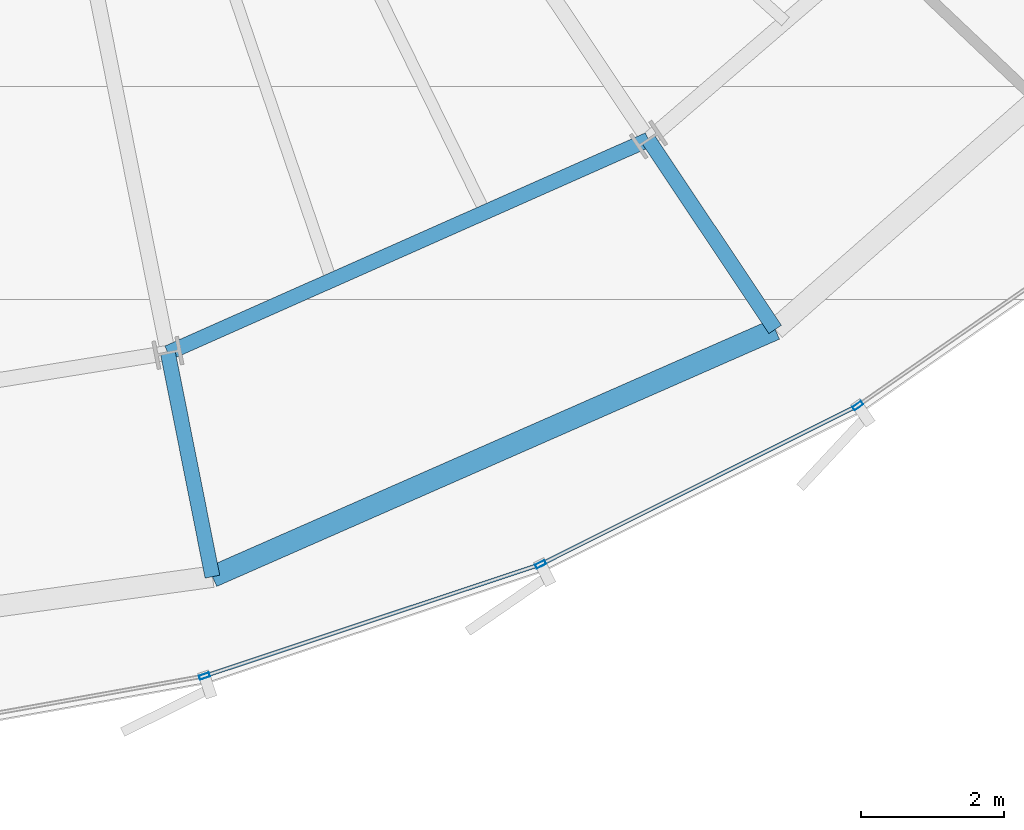
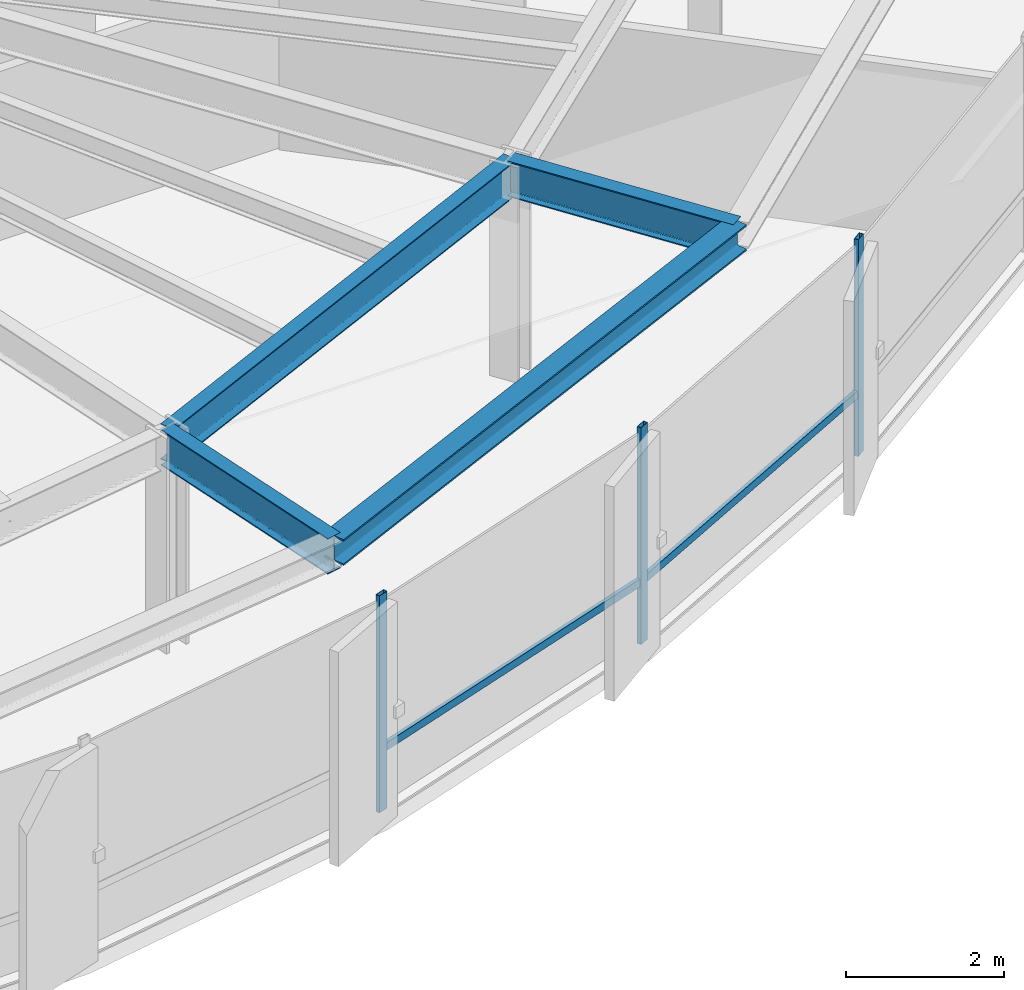
# One storey, part 11 of 34: 5 members, 4 beams, 1 element without a shape of its own.
"""IFC4 building model written with IfcOpenShell, lengths in metres."""

from ifc_helpers import new_model, si_unit, direction, frame, origin, origin_2d, place, context, subcontext, project, spatial, hollow_rectangle, i_section, extrude, source, transform, mapped, material, layer, layer_set, material_profile, profile_set, type_object, element, aggregate, save


model = new_model("IFC4")

# Units and contexts
model_context = context("Model", 3, precision=1e-05, world=origin(), true_north=direction((0.0, 1.0)))
body_context = subcontext(model_context, "Body", "Model", "MODEL_VIEW")
ifc_project = project(units=[si_unit("LENGTHUNIT", "METRE"), si_unit("AREAUNIT", "SQUARE_METRE"), si_unit("VOLUMEUNIT", "CUBIC_METRE"), si_unit("PLANEANGLEUNIT", "RADIAN"), si_unit("MASSUNIT", "GRAM", prefix="KILO"), si_unit("THERMODYNAMICTEMPERATUREUNIT", "KELVIN")], contexts=[model_context])

# Site, building, storey
site_placement = place(None, origin())
site = spatial("IfcSite", under=ifc_project, at=site_placement, CompositionType="ELEMENT")
building_placement = place(site_placement, origin())
building = spatial("IfcBuilding", under=site, at=building_placement, Name="Kethvar Cultural Tower", CompositionType="ELEMENT")
storey_placement = place(building_placement, frame((0.0, 0.0, 125.199951171875)))
storey = spatial("IfcBuildingStorey", under=building, at=storey_placement, Name="L31", CompositionType="ELEMENT", Elevation=125.199951171875)

# Beams
ifc_material_1 = material(Name="Steel S355J2", Category="steel")
ifc_material_profile_1 = material_profile(ifc_material_1, i_section(OverallWidth=0.2099609375, OverallDepth=0.550048828125, WebThickness=0.010986328125, FlangeThickness=0.01708984375, FilletRadius=0.02392578125, at=origin_2d()), Name="Steel S355J2 — IPE550")
ifc_profile_set_1 = profile_set([ifc_material_profile_1], Name="Steel S355J2 — IPE550")
beam_type_1 = type_object("IfcBeamType", Name="BM-IPE550", PredefinedType="BEAM", material=ifc_profile_set_1)
shared_shape_1 = source(origin(), body_context, "Body", "SweptSolid", [
    extrude(i_section(OverallWidth=0.2099609375, OverallDepth=0.550048828125, WebThickness=0.010986328125, FlangeThickness=0.01708984375, FilletRadius=0.02392578125, at=origin_2d()), origin(), (0.0, 0.0, 1.0), 3.199951171875),
])
beam_1_placement = place(storey_placement, frame((57.241943359375, 12.17236328125, 3.072998046875), z_axis=(0.555580212716, -0.831462943996, 0.0), x_axis=(0.831462943996, 0.555580212716, 0.0)))
element("IfcBeam", 1, at=beam_1_placement, inside=storey, type_object=beam_type_1, Name="L31 Perimeter Cantilever Beam RC-14", PredefinedType="BEAM", context=body_context, shape_type="MappedRepresentation", body=[
    mapped(shared_shape_1, transform((0.0, 0.0, 0.0), scale=1.0)),
])
shared_shape_2 = source(origin(), body_context, "Body", "SweptSolid", [
    extrude(i_section(OverallWidth=0.2099609375, OverallDepth=0.550048828125, WebThickness=0.010986328125, FlangeThickness=0.01708984375, FilletRadius=0.02392578125, at=origin_2d()), origin(), (0.0, 0.0, 1.0), 3.2001953125),
])
beam_2_placement = place(storey_placement, frame((50.50341796875, 9.182373046875, 3.072998046875), z_axis=(0.195074368086, -0.980788453702, 0.0), x_axis=(0.980788453702, 0.195074368086, 0.0)))
element("IfcBeam", 2, at=beam_2_placement, inside=storey, type_object=beam_type_1, Name="L31 Perimeter Cantilever Beam RC-13", PredefinedType="BEAM", context=body_context, shape_type="MappedRepresentation", body=[
    mapped(shared_shape_2, transform((0.0, 0.0, 0.0), scale=1.0)),
])
shared_shape_3 = source(origin(), body_context, "Body", "SweptSolid", [
    extrude(i_section(OverallWidth=0.2099609375, OverallDepth=0.550048828125, WebThickness=0.010986328125, FlangeThickness=0.01708984375, FilletRadius=0.02392578125, at=origin_2d()), origin(), (0.0, 0.0, 1.0), 7.3720703125),
])
beam_3_placement = place(storey_placement, frame((50.50341796875, 9.182373046875, 3.072998046875), z_axis=(0.914058560918, 0.405582232367, 0.0), x_axis=(-0.405582232367, 0.914058560918, 0.0)))
element("IfcBeam", 3, at=beam_3_placement, inside=storey, type_object=beam_type_1, Name="L31 Column Ring Tie Beam CR-13", PredefinedType="BEAM", context=body_context, shape_type="MappedRepresentation", body=[
    mapped(shared_shape_3, transform((0.0, 0.0, 0.0), scale=1.0)),
])
ifc_material_profile_2 = material_profile(ifc_material_1, i_section(OverallWidth=0.300048828125, OverallDepth=0.39990234375, WebThickness=0.013427734375, FlangeThickness=0.02392578125, FilletRadius=0.027099609375, at=origin_2d()), Name="Steel S355J2 — HEB400")
ifc_profile_set_2 = profile_set([ifc_material_profile_2], Name="Steel S355J2 — HEB400")
beam_type_2 = type_object("IfcBeamType", Name="BM-SP400", PredefinedType="SPANDREL", material=ifc_profile_set_2)
shared_shape_4 = source(origin(), body_context, "Body", "SweptSolid", [
    extrude(i_section(OverallWidth=0.300048828125, OverallDepth=0.39990234375, WebThickness=0.013427734375, FlangeThickness=0.02392578125, FilletRadius=0.027099609375, at=origin_2d()), origin(), (0.0, 0.0, 1.0), 8.620361328125),
])
beam_4_placement = place(storey_placement, frame((51.127685546875, 6.043701171875, 3.14794921875), z_axis=(0.915507442902, 0.402301034041, 0.0), x_axis=(-0.402301034041, 0.915507442902, 0.0)))
element("IfcBeam", 4, at=beam_4_placement, inside=storey, type_object=beam_type_2, Name="L31 Perimeter Spandrel Beam SP-13", PredefinedType="SPANDREL", context=body_context, shape_type="MappedRepresentation", body=[
    mapped(shared_shape_4, transform((0.0, 0.0, 0.0), scale=1.0)),
])

# Curtain wall, members
ifc_material_2 = material(Name="Aluminium 6063-T6", Category="aluminium")
ifc_layer = layer(ifc_material_2, 0.179931640625, Name="Aluminium 6063-T6", Category="aluminium")
ifc_layer_set = layer_set([ifc_layer], Name="Aluminium 6063-T6 (180 mm)")
curtain_wall_type = type_object("IfcCurtainWallType", Name="CW-SYS-03-Z2", PredefinedType="NOTDEFINED", material=ifc_layer_set)
curtain_wall_placement = place(storey_placement, origin())
curtain_wall = element("IfcCurtainWall", 5, at=curtain_wall_placement, inside=storey, type_object=curtain_wall_type, Name="L31 Curtain Wall Run 05", PredefinedType="NOTDEFINED")
ifc_material_profile_3 = material_profile(ifc_material_2, hollow_rectangle(XDim=0.06005859375, YDim=0.14990234375, WallThickness=0.0048828125, at=origin_2d()), Name="Aluminium 6063-T6 — RHS150x60x5")
ifc_profile_set_3 = profile_set([ifc_material_profile_3], Name="Aluminium 6063-T6 — RHS150x60x5")
member_type_1 = type_object("IfcMemberType", Name="CW-SYS-03-Z2-MUL", PredefinedType="MULLION", material=ifc_profile_set_3)
shared_shape_5 = source(origin(), body_context, "Body", "SweptSolid", [
    extrude(hollow_rectangle(XDim=0.06005859375, YDim=0.14990234375, WallThickness=0.0048828125, at=origin_2d()), origin(), (0.0, 0.0, 1.0), 3.35009765625),
])
member_1_placement = place(storey_placement, frame((51.016357421875, 4.6494140625, 0.0), z_axis=(0.0, 0.0, 1.0), x_axis=(-0.315615914734, 0.948887029296, 0.0)))
member_1 = element("IfcMember", 6, at=member_1_placement, type_object=member_type_1, Name="CW-L31-R05 Mullion 3", PredefinedType="MULLION", context=body_context, shape_type="MappedRepresentation", body=[
    mapped(shared_shape_5, transform((0.0, 0.0, 0.0), scale=1.0)),
])
member_2_placement = place(storey_placement, frame((55.731201171875, 6.216552734375, 0.0), z_axis=(0.0, 0.0, 1.0), x_axis=(-0.447743481835, 0.894162051574, 0.0)))
member_2 = element("IfcMember", 7, at=member_2_placement, type_object=member_type_1, Name="CW-L31-R05 Mullion 4", PredefinedType="MULLION", context=body_context, shape_type="MappedRepresentation", body=[
    mapped(shared_shape_5, transform((0.0, 0.0, 0.0), scale=1.0)),
])
member_3_placement = place(storey_placement, frame((60.178955078125, 8.4423828125, 0.0), z_axis=(0.0, 0.0, 1.0), x_axis=(-0.571172094885, 0.820830334494, 0.0)))
member_3 = element("IfcMember", 8, at=member_3_placement, type_object=member_type_1, Name="CW-L31-R05 Mullion 5", PredefinedType="MULLION", context=body_context, shape_type="MappedRepresentation", body=[
    mapped(shared_shape_5, transform((0.0, 0.0, 0.0), scale=1.0)),
])
ifc_material_profile_4 = material_profile(ifc_material_2, hollow_rectangle(XDim=0.054931640625, YDim=0.1201171875, WallThickness=0.00390625, at=origin_2d()), Name="Aluminium 6063-T6 — RHS120x55x4")
ifc_profile_set_4 = profile_set([ifc_material_profile_4], Name="Aluminium 6063-T6 — RHS120x55x4")
member_type_2 = type_object("IfcMemberType", Name="CW-SYS-03-Z2-TRN", PredefinedType="USERDEFINED", material=ifc_profile_set_4)
shared_shape_6 = source(origin(), body_context, "Body", "SweptSolid", [
    extrude(hollow_rectangle(XDim=0.054931640625, YDim=0.1201171875, WallThickness=0.00390625, at=origin_2d()), origin(), (0.0, 0.0, 1.0), 4.903564453125),
])
member_4_placement = place(storey_placement, frame((55.77001953125, 6.23583984375, 0.949951171875), z_axis=(0.89415816951, 0.44775123439, 0.0), x_axis=(-0.44775123439, 0.89415816951, 0.0)))
member_4 = element("IfcMember", 9, at=member_4_placement, type_object=member_type_2, Name="CW-L31-R05 Transom 4", ObjectType="TRANSOM", PredefinedType="USERDEFINED", context=body_context, shape_type="MappedRepresentation", body=[
    mapped(shared_shape_6, transform((0.0, 0.0, 0.0), scale=1.0)),
])
shared_shape_7 = source(origin(), body_context, "Body", "SweptSolid", [
    extrude(hollow_rectangle(XDim=0.054931640625, YDim=0.1201171875, WallThickness=0.00390625, at=origin_2d()), origin(), (0.0, 0.0, 1.0), 4.898681640625),
])
member_5_placement = place(storey_placement, frame((51.057373046875, 4.6630859375, 0.949951171875), z_axis=(0.948882465061, 0.3156296366, 0.0), x_axis=(-0.3156296366, 0.948882465061, 0.0)))
member_5 = element("IfcMember", 10, at=member_5_placement, type_object=member_type_2, Name="CW-L31-R05 Transom 3", ObjectType="TRANSOM", PredefinedType="USERDEFINED", context=body_context, shape_type="MappedRepresentation", body=[
    mapped(shared_shape_7, transform((0.0, 0.0, 0.0), scale=1.0)),
])
aggregate(curtain_wall, [member_1, member_2, member_3, member_5, member_4])

save(model, "model.ifc")
